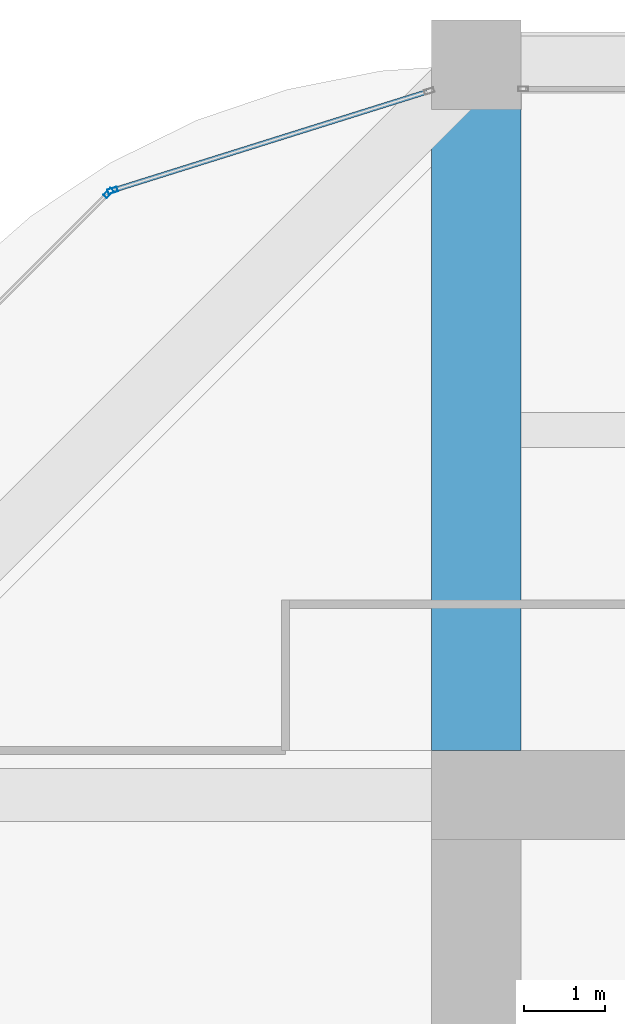
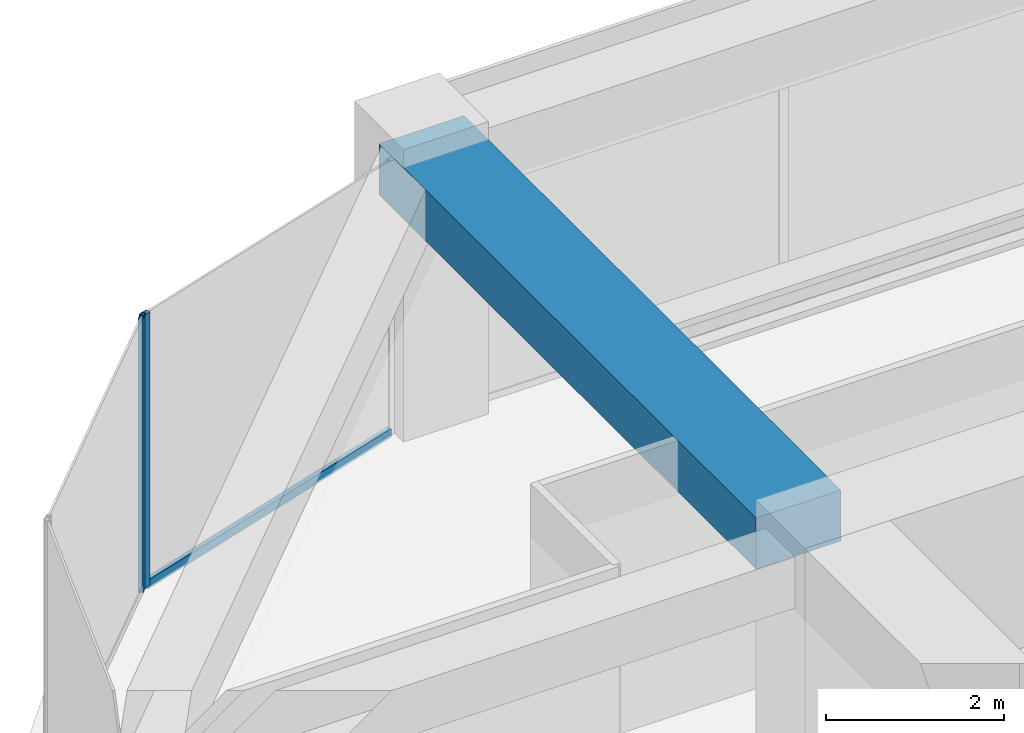
# One storey, part 30 of 44: 3 members, 1 beam, 2 elements without a shape of their own.
"""IFC4 building model written with IfcOpenShell, lengths in metres."""

from ifc_helpers import new_model, si_unit, direction, frame, origin, origin_2d, place, context, subcontext, project, spatial, rectangle, hollow_rectangle, extrude, material, material_profile, profile_set, type_object, element, aggregate, save


model = new_model("IFC4")

# Units and contexts
model_context = context("Model", 3, precision=1e-05, world=origin(), true_north=direction((0.0, 1.0)))
body_context = subcontext(model_context, "Body", "Model", "MODEL_VIEW")
ifc_project = project(units=[si_unit("LENGTHUNIT", "METRE"), si_unit("AREAUNIT", "SQUARE_METRE"), si_unit("VOLUMEUNIT", "CUBIC_METRE"), si_unit("PLANEANGLEUNIT", "RADIAN"), si_unit("MASSUNIT", "GRAM", prefix="KILO")], contexts=[model_context])

# Site, building, storey
site_placement = place(None, origin())
site = spatial("IfcSite", under=ifc_project, at=site_placement, CompositionType="ELEMENT")
building_placement = place(site_placement, origin())
building = spatial("IfcBuilding", under=site, at=building_placement, Name="Zorevar Civic Tower", CompositionType="ELEMENT")
storey_placement = place(building_placement, frame((0.0, 0.0, 267.39990234375)))
storey = spatial("IfcBuildingStorey", under=building, at=storey_placement, Name="L65", CompositionType="ELEMENT", Elevation=267.39990234375)

# Beam
ifc_material_1 = material(Name="Concrete C50/60", Category="concrete")
ifc_material_profile_1 = material_profile(ifc_material_1, rectangle(XDim=1.10009765625, YDim=0.699951171875, at=origin_2d()), Name="RC 1100x700")
ifc_profile_set_1 = profile_set([ifc_material_profile_1], Name="Concrete C50/60")
beam_type = type_object("IfcBeamType", Name="Beam RC 1100x700", PredefinedType="BEAM", material=ifc_profile_set_1)
beam_placement = place(storey_placement, frame((18.0, 36.550048828125, 3.400146484375), z_axis=(0.0, 1.0, 0.0), x_axis=(-1.0, 0.0, 0.0)))
element("IfcBeam", 1, at=beam_placement, inside=storey, type_object=beam_type, Name="Girder L66", PredefinedType="BEAM", context=body_context, shape_type="SweptSolid", body=[
    extrude(rectangle(XDim=1.10009765625, YDim=0.699951171875, at=origin_2d()), origin(), (0.0, 0.0, 1.0), 8.449951171875),
])

# Curtain wall, member
ifc_material_2 = material(Name="Dark grey solar-control glass in black aluminium frame", Category="aluminium")
curtain_wall_type = type_object("IfcCurtainWallType", Name="Curtain wall CW5 top zone", PredefinedType="NOTDEFINED", material=ifc_material_2)
curtain_wall_1_placement = place(storey_placement, origin())
curtain_wall_1 = element("IfcCurtainWall", 2, at=curtain_wall_1_placement, inside=storey, type_object=curtain_wall_type, Name="CW5 L65", PredefinedType="NOTDEFINED")
ifc_material_3 = material(Name="Aluminium, black anodised", Category="aluminium")
ifc_material_profile_2 = material_profile(ifc_material_3, hollow_rectangle(XDim=0.06005859375, YDim=0.1201171875, WallThickness=0.0029296875, at=origin_2d()), Name="AL 120x60x3")
ifc_profile_set_2 = profile_set([ifc_material_profile_2], Name="Aluminium, black anodised")
member_type_1 = type_object("IfcMemberType", Name="CW5 mullion AL 120x60x3", PredefinedType="MULLION", material=ifc_profile_set_2)
member_1_placement = place(storey_placement, frame((13.520751953125, 43.449951171875, 0.0), z_axis=(0.0, 0.0, 1.0), x_axis=(0.299317920238, -0.954153437674, 0.0)))
member_1 = element("IfcMember", 3, at=member_1_placement, type_object=member_type_1, Name="CW5 mullion 2", PredefinedType="MULLION", context=body_context, shape_type="SweptSolid", body=[
    extrude(hollow_rectangle(XDim=0.06005859375, YDim=0.1201171875, WallThickness=0.0029296875, at=origin_2d()), origin(), (0.0, 0.0, 1.0), 3.75),
])

curtain_wall_2_placement = place(storey_placement, origin())
curtain_wall_2 = element("IfcCurtainWall", 4, at=curtain_wall_2_placement, inside=storey, type_object=curtain_wall_type, Name="CW5 L65", PredefinedType="NOTDEFINED")
member_2_placement = place(storey_placement, frame((13.470947265625, 43.419677734375, 0.0), z_axis=(0.0, 0.0, 1.0), x_axis=(0.707106781187, -0.707106781187, 0.0)))
member_2 = element("IfcMember", 5, at=member_2_placement, type_object=member_type_1, Name="CW5 mullion 1", PredefinedType="MULLION", context=body_context, shape_type="SweptSolid", body=[
    extrude(hollow_rectangle(XDim=0.06005859375, YDim=0.1201171875, WallThickness=0.0029296875, at=origin_2d()), origin(), (0.0, 0.0, 1.0), 3.75),
])
aggregate(curtain_wall_2, [member_2])

# Member
ifc_material_4 = material(Name="Aluminium, black anodised", Category="aluminium")
ifc_material_profile_3 = material_profile(ifc_material_4, hollow_rectangle(XDim=0.06005859375, YDim=0.1201171875, WallThickness=0.0029296875, at=origin_2d()), Name="AL 120x60x3")
ifc_profile_set_3 = profile_set([ifc_material_profile_3], Name="Aluminium, black anodised")
member_type_2 = type_object("IfcMemberType", Name="CW5 transom AL 120x60x3", PredefinedType="USERDEFINED", material=ifc_profile_set_3)
member_3_placement = place(storey_placement, frame((17.392822265625, 44.66455078125, 0.030029296875), z_axis=(-0.954163457351, -0.299285978047, 0.0), x_axis=(0.299285978047, -0.954163457351, 0.0)))
member_3 = element("IfcMember", 6, at=member_3_placement, type_object=member_type_2, Name="CW5 sill transom", ObjectType="TRANSOM", PredefinedType="USERDEFINED", context=body_context, shape_type="SweptSolid", body=[
    extrude(hollow_rectangle(XDim=0.06005859375, YDim=0.1201171875, WallThickness=0.0029296875, at=origin_2d()), origin(), (0.0, 0.0, 1.0), 4.028076171875),
])

aggregate(curtain_wall_1, [member_1, member_3])

save(model, "model.ifc")
